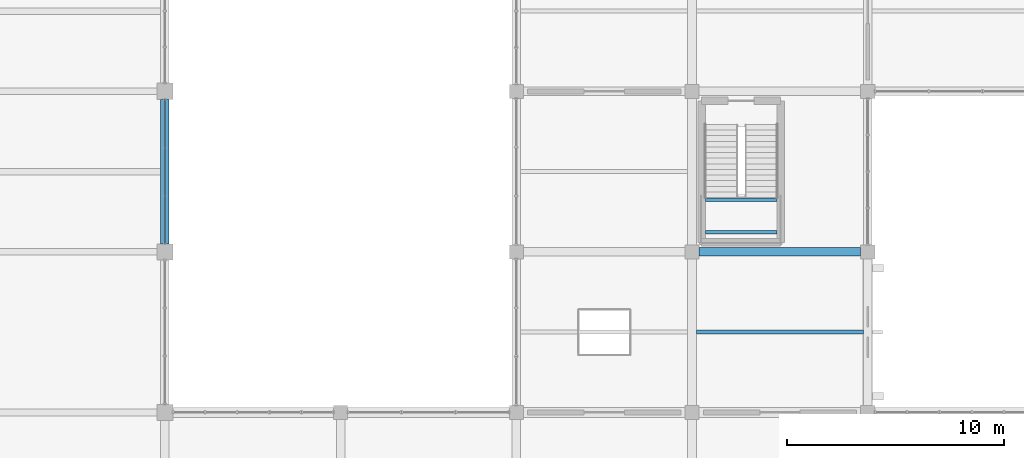
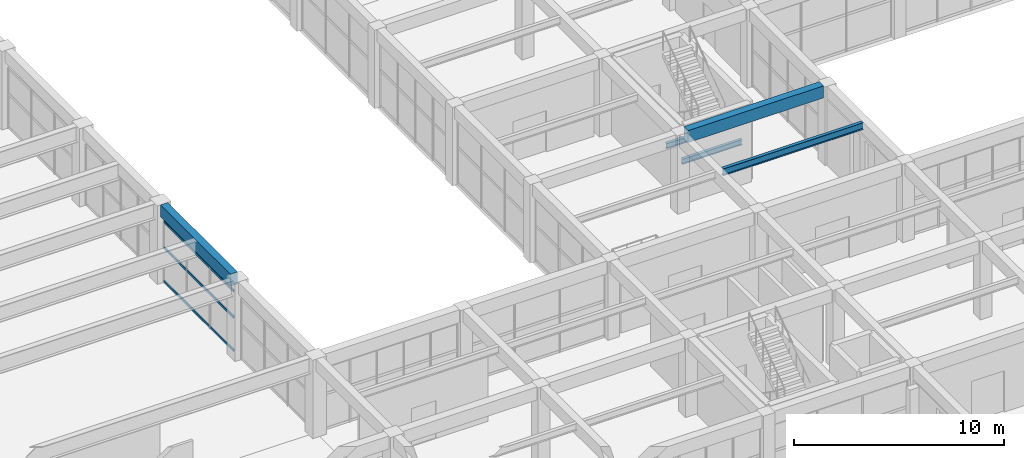
# One storey, part 59 of 161: 5 beams, 3 members, 1 element without a shape of its own.
"""IFC4 building model written with IfcOpenShell, lengths in metres."""

from ifc_helpers import new_model, si_unit, direction, frame, origin, origin_2d, place, context, subcontext, project, spatial, rectangle, hollow_rectangle, i_section, extrude, material, material_profile, profile_set, type_object, element, aggregate, save


model = new_model("IFC4")

# Units and contexts
model_context = context("Model", 3, precision=1e-05, world=origin(), true_north=direction((0.0, 1.0)))
body_context = subcontext(model_context, "Body", "Model", "MODEL_VIEW")
ifc_project = project(units=[si_unit("LENGTHUNIT", "METRE"), si_unit("AREAUNIT", "SQUARE_METRE"), si_unit("VOLUMEUNIT", "CUBIC_METRE"), si_unit("PLANEANGLEUNIT", "RADIAN"), si_unit("MASSUNIT", "GRAM", prefix="KILO")], contexts=[model_context])

# Site, building, storey
site_placement = place(None, origin())
site = spatial("IfcSite", under=ifc_project, at=site_placement, CompositionType="ELEMENT")
building_placement = place(site_placement, origin())
building = spatial("IfcBuilding", under=site, at=building_placement, Name="Cimatlan Art Gallery", CompositionType="ELEMENT")
storey_placement = place(building_placement, frame((0.0, 0.0, 5.39990234375)))
storey = spatial("IfcBuildingStorey", under=building, at=storey_placement, Name="L01", CompositionType="ELEMENT", Elevation=5.39990234375)

# Beams
ifc_material_1 = material(Name="Concrete C40/50", Category="concrete")
ifc_material_profile_1 = material_profile(ifc_material_1, rectangle(XDim=0.39990234375, YDim=0.699951171875, at=origin_2d()), Name="RC400X700")
ifc_profile_set_1 = profile_set([ifc_material_profile_1], Name="Concrete C40/50")
beam_type_1 = type_object("IfcBeamType", Name="BM-RC-400X700", PredefinedType="BEAM", material=ifc_profile_set_1)
beam_1_placement = place(storey_placement, frame((99.199951171875, 46.47509765625, 4.210205078125), z_axis=(0.0, 1.0, 0.0), x_axis=(-1.0, 0.0, 0.0)))
element("IfcBeam", 1, at=beam_1_placement, inside=storey, type_object=beam_type_1, Name="BM-Y-L01-12-06", PredefinedType="BEAM", context=body_context, shape_type="SweptSolid", body=[
    extrude(rectangle(XDim=0.39990234375, YDim=0.699951171875, at=origin_2d()), origin(), (0.0, 0.0, 1.0), 6.64990234375),
])
beam_2_placement = place(storey_placement, frame((123.824951171875, 46.10009765625, 4.210205078125), z_axis=(1.0, 0.0, 0.0), x_axis=(0.0, 1.0, 0.0)))
element("IfcBeam", 2, at=beam_2_placement, inside=storey, type_object=beam_type_1, Name="BM-X-L01-15-06", PredefinedType="BEAM", context=body_context, shape_type="SweptSolid", body=[
    extrude(rectangle(XDim=0.39990234375, YDim=0.699951171875, at=origin_2d()), origin(), (0.0, 0.0, 1.0), 7.449951171875),
])
ifc_material_2 = material(Name="Steel ASTM A992 Grade 50", Category="steel")
ifc_material_profile_2 = material_profile(ifc_material_2, i_section(OverallWidth=0.1650390625, OverallDepth=0.31005859375, WebThickness=0.005859375, FlangeThickness=0.009765625, at=origin_2d()), Name="W12X26")
ifc_profile_set_2 = profile_set([ifc_material_profile_2], Name="Steel ASTM A992 Grade 50")
beam_type_2 = type_object("IfcBeamType", Name="BM-STL-W12X26", PredefinedType="JOIST", material=ifc_profile_set_2)
for number, where, z_axis, x_axis, name in (
    (3, (124.114990234375, 47.0, 2.025146484375), (1.0, 0.0, 0.0), (0.0, 1.0, 0.0), "BM-STR-C9-L01-LH1"),
    (4, (124.114990234375, 48.5, 2.025146484375), (1.0, 0.0, 0.0), (0.0, 1.0, 0.0), "BM-STR-C9-L01-LH2"),
):
    element("IfcBeam", number, at=place(storey_placement, frame(where, z_axis=z_axis, x_axis=x_axis)), inside=storey, type_object=beam_type_2, Name=name, PredefinedType="JOIST", context=body_context, shape_type="SweptSolid", body=[
        extrude(i_section(OverallWidth=0.1650390625, OverallDepth=0.31005859375, WebThickness=0.005859375, FlangeThickness=0.009765625, at=origin_2d()), origin(), (0.0, 0.0, 1.0), 3.2900390625),
    ])
ifc_material_profile_3 = material_profile(ifc_material_2, i_section(OverallWidth=0.177978515625, OverallDepth=0.406982421875, WebThickness=0.0078125, FlangeThickness=0.0126953125, at=origin_2d()), Name="W16X40")
ifc_profile_set_3 = profile_set([ifc_material_profile_3], Name="Steel ASTM A992 Grade 50")
beam_type_3 = type_object("IfcBeamType", Name="BM-STL-W16X40", PredefinedType="JOIST", material=ifc_profile_set_3)
beam_3_placement = place(storey_placement, frame((123.699951171875, 42.39990234375, 4.356689453125), z_axis=(1.0, 0.0, 0.0), x_axis=(0.0, 1.0, 0.0)))
element("IfcBeam", 5, at=beam_3_placement, inside=storey, type_object=beam_type_3, Name="JST-L01-15-05", PredefinedType="JOIST", context=body_context, shape_type="SweptSolid", body=[
    extrude(i_section(OverallWidth=0.177978515625, OverallDepth=0.406982421875, WebThickness=0.0078125, FlangeThickness=0.0126953125, at=origin_2d()), origin(), (0.0, 0.0, 1.0), 7.699951171875),
])

# Curtain wall, members
ifc_material_3 = material(Name="Anodised bronze unitised curtain wall")
curtain_wall_type = type_object("IfcCurtainWallType", Name="CW-V-06642X03577-B3", PredefinedType="NOTDEFINED", material=ifc_material_3)
curtain_wall_placement = place(storey_placement, origin())
curtain_wall = element("IfcCurtainWall", 6, at=curtain_wall_placement, inside=storey, type_object=curtain_wall_type, Name="CW-L01-11-06-E", PredefinedType="NOTDEFINED")
ifc_material_4 = material(Name="Anodised bronze aluminium 6063-T6", Category="aluminium")
ifc_material_profile_4 = material_profile(ifc_material_4, hollow_rectangle(XDim=0.06494140625, YDim=0.139892578125, WallThickness=0.00390625, at=origin_2d()), Name="ALU65X140X4")
ifc_profile_set_4 = profile_set([ifc_material_profile_4], Name="Anodised bronze aluminium 6063-T6")
member_type = type_object("IfcMemberType", Name="CW-TRN-140", PredefinedType="USERDEFINED", material=ifc_profile_set_4)
member_1_placement = place(storey_placement, frame((99.199951171875, 53.12109375, 0.06005859375), z_axis=(0.0, -1.0, 0.0), x_axis=(1.0, 0.0, 0.0)))
member_1 = element("IfcMember", 7, at=member_1_placement, type_object=member_type, Name="CW-L01-11-06-E-T1", ObjectType="TRANSOM", PredefinedType="USERDEFINED", context=body_context, shape_type="SweptSolid", body=[
    extrude(hollow_rectangle(XDim=0.06494140625, YDim=0.139892578125, WallThickness=0.00390625, at=origin_2d()), origin(), (0.0, 0.0, 1.0), 6.64208984375),
])
member_2_placement = place(storey_placement, frame((99.199951171875, 53.12109375, 2.003173828125), z_axis=(0.0, -1.0, 0.0), x_axis=(1.0, 0.0, 0.0)))
member_2 = element("IfcMember", 8, at=member_2_placement, type_object=member_type, Name="CW-L01-11-06-E-T2", ObjectType="TRANSOM", PredefinedType="USERDEFINED", context=body_context, shape_type="SweptSolid", body=[
    extrude(hollow_rectangle(XDim=0.06494140625, YDim=0.139892578125, WallThickness=0.00390625, at=origin_2d()), origin(), (0.0, 0.0, 1.0), 6.64208984375),
])
member_3_placement = place(storey_placement, frame((99.199951171875, 53.12109375, 3.51708984375), z_axis=(0.0, -1.0, 0.0), x_axis=(1.0, 0.0, 0.0)))
member_3 = element("IfcMember", 9, at=member_3_placement, type_object=member_type, Name="CW-L01-11-06-E-T3", ObjectType="TRANSOM", PredefinedType="USERDEFINED", context=body_context, shape_type="SweptSolid", body=[
    extrude(hollow_rectangle(XDim=0.06494140625, YDim=0.139892578125, WallThickness=0.00390625, at=origin_2d()), origin(), (0.0, 0.0, 1.0), 6.64208984375),
])
aggregate(curtain_wall, [member_1, member_2, member_3])

save(model, "model.ifc")
